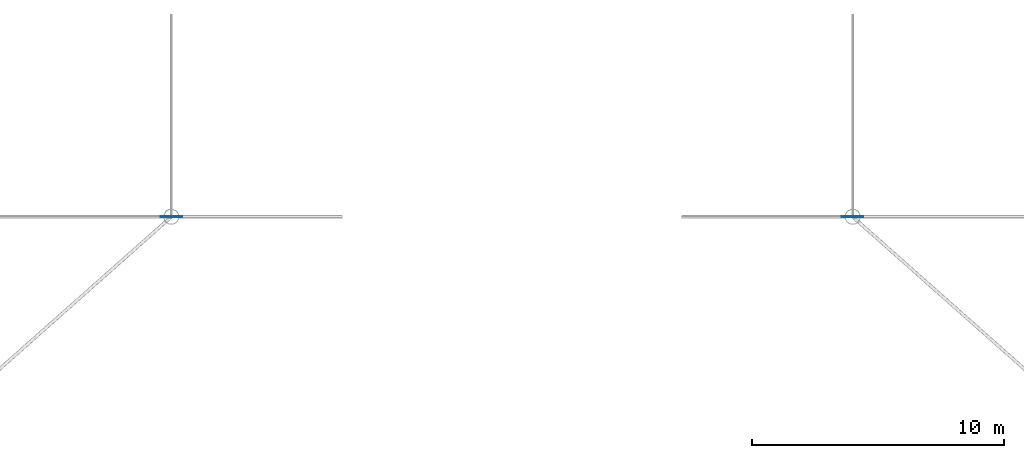
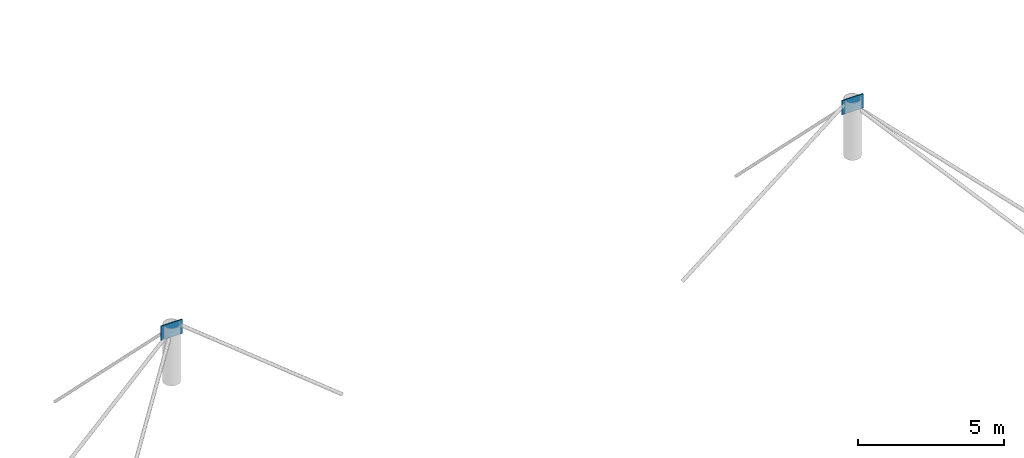
# One storey, part 43 of 58: 2 plates.
"""IFC4 building model written with IfcOpenShell, lengths in metres."""

from ifc_helpers import new_model, si_unit, derived_unit, direction, frame, origin, origin_2d, place, context, subcontext, project, spatial, rectangle, extrude, material, layer, layer_set, type_object, element, save


model = new_model("IFC4")

# Units and contexts
model_context = context("Model", 3, precision=1e-05, world=origin(), true_north=direction((0.0, 1.0)))
body_context = subcontext(model_context, "Body", "Model", "MODEL_VIEW")
ifc_project = project(units=[si_unit("LENGTHUNIT", "METRE"), si_unit("AREAUNIT", "SQUARE_METRE"), si_unit("VOLUMEUNIT", "CUBIC_METRE"), si_unit("PLANEANGLEUNIT", "RADIAN"), si_unit("MASSUNIT", "GRAM", prefix="KILO"), derived_unit("THERMALTRANSMITTANCEUNIT", [(si_unit("MASSUNIT", "GRAM", prefix="KILO"), 1), (si_unit("TIMEUNIT", "SECOND"), -3), (si_unit("THERMODYNAMICTEMPERATUREUNIT", "KELVIN"), -1)])], contexts=[model_context])

# Site, building, storey
site_placement = place(None, origin())
site = spatial("IfcSite", under=ifc_project, at=site_placement, CompositionType="ELEMENT")
building_placement = place(site_placement, origin())
building = spatial("IfcBuilding", under=site, at=building_placement, Name="Zhenchuan Archway Interchange", CompositionType="ELEMENT")
storey_placement = place(building_placement, frame((0.0, 0.0, 22.800048828125)))
storey = spatial("IfcBuildingStorey", under=building, at=storey_placement, Name="L05", CompositionType="ELEMENT", Elevation=22.800048828125)

# Plates
ifc_material = material(Name="Steel Q355", Category="steel")
ifc_layer = layer(ifc_material, 0.031982421875)
ifc_layer_set = layer_set([ifc_layer], Name="Steel Q355")
plate_type = type_object("IfcPlateType", Name="PLT_GUSSET_3", PredefinedType="SHEET", material=ifc_layer_set)
for number, where, z_axis, x_axis, name in (
    (1, (36.0, 32.0, 1.849853515625), (0.0, 0.0, 1.0), (1.0, 0.0, 0.0), "Concourse mast cable anchor gusset plate SW"),
    (2, (63.0, 32.0, 1.849853515625), (0.0, 0.0, 1.0), (1.0, 0.0, 0.0), "Concourse mast cable anchor gusset plate SE"),
):
    element("IfcPlate", number, at=place(storey_placement, frame(where, z_axis=z_axis, x_axis=x_axis)), inside=storey, type_object=plate_type, Name=name, PredefinedType="SHEET", context=body_context, shape_type="SweptSolid", body=[
        extrude(rectangle(XDim=0.85009765625, YDim=0.031982421875, at=origin_2d()), origin(), (0.0, 0.0, 1.0), 0.60009765625),
    ])

save(model, "model.ifc")
